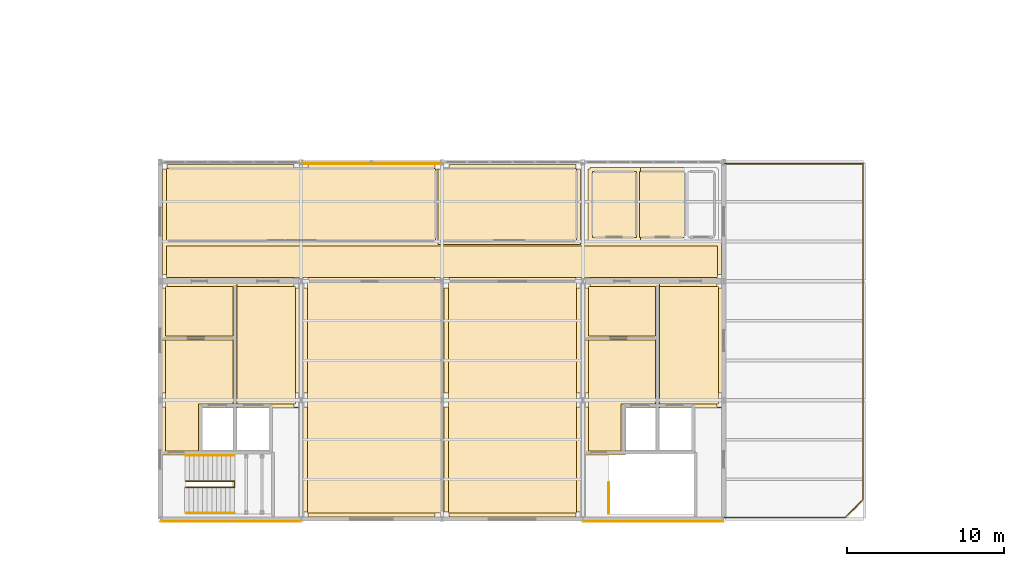
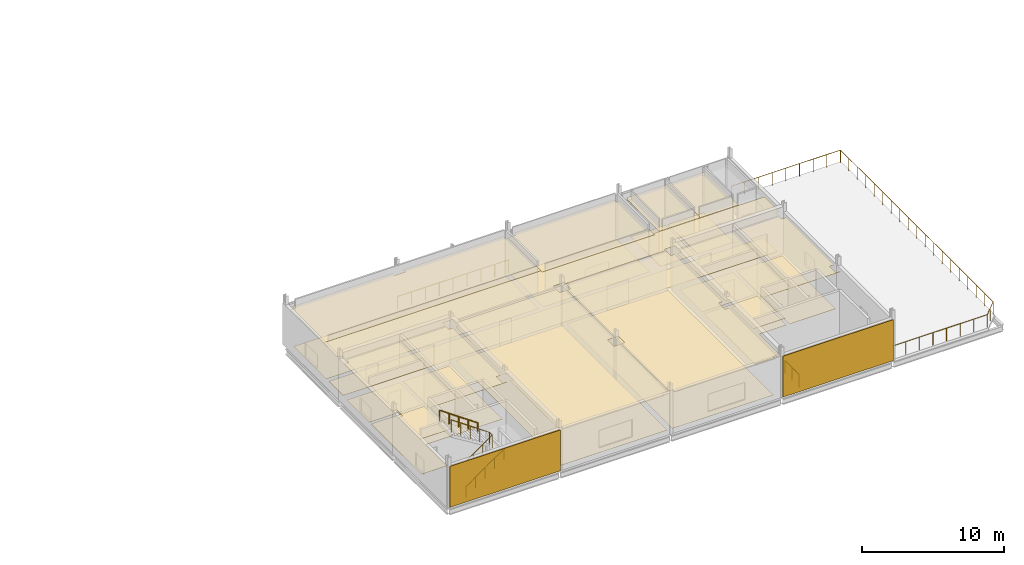
# One storey, part 23 of 24: 28 coverings, 6 railings.
"""IFC4 building model written with IfcOpenShell, lengths in metres."""

from ifc_helpers import new_model, si_unit, direction, frame, origin, origin_2d, place, context, subcontext, project, spatial, polyline, rectangle, circle, outline, extrude, material, layer, layer_set, type_object, element, save


model = new_model("IFC4")

# Units and contexts
model_context = context("Model", 3, precision=1e-05, world=origin(), true_north=direction((0.0, 1.0)))
body_context = subcontext(model_context, "Body", "Model", "MODEL_VIEW")
ifc_project = project(units=[si_unit("LENGTHUNIT", "METRE"), si_unit("AREAUNIT", "SQUARE_METRE"), si_unit("VOLUMEUNIT", "CUBIC_METRE"), si_unit("PLANEANGLEUNIT", "RADIAN"), si_unit("MASSUNIT", "GRAM", prefix="KILO")], contexts=[model_context])

# Site, building, storey
site_placement = place(None, origin())
site = spatial("IfcSite", under=ifc_project, at=site_placement, CompositionType="ELEMENT")
building_placement = place(site_placement, origin())
building = spatial("IfcBuilding", under=site, at=building_placement, Name="Caisbarro Railhouse Central Library", CompositionType="ELEMENT")
storey_placement = place(building_placement, frame((0.0, 0.0, 22.320068359375)))
storey = spatial("IfcBuildingStorey", under=building, at=storey_placement, Name="L05", CompositionType="ELEMENT", Elevation=22.320068359375)

# Coverings
ifc_material_1 = material(Name="Extruded architectural terracotta rainscreen", Category="masonry")
ifc_layer_1 = layer(ifc_material_1, 0.054931640625, Name="Extruded architectural terracotta rainscreen")
ifc_layer_set_1 = layer_set([ifc_layer_1], Name="Extruded architectural terracotta rainscreen")
covering_type_1 = type_object("IfcCoveringType", Name="CLD-TER01", PredefinedType="CLADDING", material=ifc_layer_set_1)
for number, where, z_axis, x_axis, name in (
    (1, (67.5, -0.151611328125, 0.02978515625), (0.0, 0.0, 1.0), (1.0, 0.0, 0.0), "TER01 facade cladding L05-033"),
    (2, (94.5, -0.151611328125, 0.02978515625), (0.0, 0.0, 1.0), (1.0, 0.0, 0.0), "TER01 facade cladding L05-034"),
):
    element("IfcCovering", number, at=place(storey_placement, frame(where, z_axis=z_axis, x_axis=x_axis)), inside=storey, type_object=covering_type_1, Name=name, PredefinedType="CLADDING", context=body_context, shape_type="SweptSolid", body=[
        extrude(rectangle(XDim=8.9599609375, YDim=0.054931640625, at=origin_2d()), origin(), (0.0, 0.0, 1.0), 3.510986328125),
    ])
ifc_material_2 = material(Name="Perforated mineral-fibre acoustic ceiling tile")
ifc_layer_2 = layer(ifc_material_2, 0.01806640625, Name="Perforated mineral-fibre acoustic ceiling tile")
ifc_layer_set_2 = layer_set([ifc_layer_2], Name="Perforated mineral-fibre acoustic ceiling tile")
covering_type_2 = type_object("IfcCoveringType", Name="COV-CL01", PredefinedType="CEILING", material=ifc_layer_set_2)
covering_1_placement = place(storey_placement, frame((0.0, 0.0, 3.25)))
element("IfcCovering", 3, at=covering_1_placement, inside=storey, type_object=covering_type_2, Name="CL01 acoustic ceiling Firefighting Lift Lobby K1", PredefinedType="CEILING", context=body_context, shape_type="SweptSolid", body=[
    extrude(outline(polyline([(63.090087890625, 7.159912109375), (63.43994140625, 7.159912109375), (63.43994140625, 8.0400390625), (63.090087890625, 8.0400390625), (63.090087890625, 11.7099609375), (67.909912109375, 11.7099609375), (67.909912109375, 7.090087890625), (65.7099609375, 7.090087890625), (65.7099609375, 4.090087890625), (63.090087890625, 4.090087890625), (63.090087890625, 7.159912109375)])), origin(), (0.0, 0.0, 1.0), 0.017822265625),
])
covering_2_placement = place(storey_placement, frame((0.0, 0.0, 3.25)))
element("IfcCovering", 4, at=covering_2_placement, inside=storey, type_object=covering_type_2, Name="CL01 acoustic ceiling Lift Lobby K1", PredefinedType="CEILING", context=body_context, shape_type="SweptSolid", body=[
    extrude(outline(polyline([(71.56005859375, 15.110107421875), (71.56005859375, 14.760009765625), (71.909912109375, 14.760009765625), (71.909912109375, 8.0400390625), (71.56005859375, 8.0400390625), (71.56005859375, 7.159912109375), (71.909912109375, 7.159912109375), (71.909912109375, 7.090087890625), (67.639892578125, 7.090087890625), (67.639892578125, 15.110107421875), (71.56005859375, 15.110107421875)])), origin(), (0.0, 0.0, 1.0), 0.017822265625),
])
covering_3_placement = place(storey_placement, frame((0.0, 0.0, 3.25)))
element("IfcCovering", 5, at=covering_3_placement, inside=storey, type_object=covering_type_2, Name="CL01 acoustic ceiling Core Vestibule K1", PredefinedType="CEILING", context=body_context, shape_type="SweptSolid", body=[
    extrude(outline(polyline([(63.090087890625, 14.760009765625), (63.43994140625, 14.760009765625), (63.43994140625, 15.110107421875), (67.909912109375, 15.110107421875), (67.909912109375, 11.43994140625), (63.090087890625, 11.43994140625), (63.090087890625, 14.760009765625)])), origin(), (0.0, 0.0, 1.0), 0.017822265625),
])
covering_4_placement = place(storey_placement, frame((0.0, 0.0, 3.25)))
element("IfcCovering", 6, at=covering_4_placement, inside=storey, type_object=covering_type_2, Name="CL01 acoustic ceiling Firefighting Lift Lobby K2", PredefinedType="CEILING", context=body_context, shape_type="SweptSolid", body=[
    extrude(outline(polyline([(90.090087890625, 7.159912109375), (90.43994140625, 7.159912109375), (90.43994140625, 8.0400390625), (90.090087890625, 8.0400390625), (90.090087890625, 11.7099609375), (94.909912109375, 11.7099609375), (94.909912109375, 7.090087890625), (92.7099609375, 7.090087890625), (92.7099609375, 4.090087890625), (90.090087890625, 4.090087890625), (90.090087890625, 7.159912109375)])), origin(), (0.0, 0.0, 1.0), 0.017822265625),
])
covering_5_placement = place(storey_placement, frame((0.0, 0.0, 3.25)))
element("IfcCovering", 7, at=covering_5_placement, inside=storey, type_object=covering_type_2, Name="CL01 acoustic ceiling Lift Lobby K2", PredefinedType="CEILING", context=body_context, shape_type="SweptSolid", body=[
    extrude(outline(polyline([(98.56005859375, 15.110107421875), (98.56005859375, 14.760009765625), (98.909912109375, 14.760009765625), (98.909912109375, 8.0400390625), (98.56005859375, 8.0400390625), (98.56005859375, 7.159912109375), (98.909912109375, 7.159912109375), (98.909912109375, 7.090087890625), (94.639892578125, 7.090087890625), (94.639892578125, 15.110107421875), (98.56005859375, 15.110107421875)])), origin(), (0.0, 0.0, 1.0), 0.017822265625),
])
covering_6_placement = place(storey_placement, frame((0.0, 0.0, 3.25)))
element("IfcCovering", 8, at=covering_6_placement, inside=storey, type_object=covering_type_2, Name="CL01 acoustic ceiling Core Vestibule K2", PredefinedType="CEILING", context=body_context, shape_type="SweptSolid", body=[
    extrude(outline(polyline([(90.090087890625, 14.760009765625), (90.43994140625, 14.760009765625), (90.43994140625, 15.110107421875), (94.909912109375, 15.110107421875), (94.909912109375, 11.43994140625), (90.090087890625, 11.43994140625), (90.090087890625, 14.760009765625)])), origin(), (0.0, 0.0, 1.0), 0.017822265625),
])
covering_7_placement = place(storey_placement, frame((0.0, 0.0, 3.25)))
element("IfcCovering", 9, at=covering_7_placement, inside=storey, type_object=covering_type_2, Name="CL01 acoustic ceiling Paper Conservation Laboratory", PredefinedType="CEILING", context=body_context, shape_type="SweptSolid", body=[
    extrude(outline(polyline([(72.139892578125, 0.43994140625), (72.139892578125, 7.159912109375), (72.43994140625, 7.159912109375), (72.43994140625, 8.0400390625), (72.139892578125, 8.0400390625), (72.139892578125, 14.760009765625), (72.43994140625, 14.760009765625), (72.43994140625, 15.4599609375), (80.56005859375, 15.4599609375), (80.56005859375, 14.760009765625), (81.260009765625, 14.760009765625), (81.260009765625, 8.0400390625), (80.56005859375, 8.0400390625), (80.56005859375, 7.159912109375), (81.260009765625, 7.159912109375), (81.260009765625, 0.43994140625), (80.56005859375, 0.43994140625), (80.56005859375, 0.139892578125), (72.43994140625, 0.139892578125), (72.43994140625, 0.43994140625), (72.139892578125, 0.43994140625)])), origin(), (0.0, 0.0, 1.0), 0.017822265625),
])
covering_8_placement = place(storey_placement, frame((0.0, 0.0, 3.25)))
element("IfcCovering", 10, at=covering_8_placement, inside=storey, type_object=covering_type_2, Name="CL01 acoustic ceiling Top Floor Corridor L05", PredefinedType="CEILING", context=body_context, shape_type="SweptSolid", body=[
    extrude(outline(polyline([(90.43994140625, 15.639892578125), (89.56005859375, 15.639892578125), (89.56005859375, 15.18994140625), (81.43994140625, 15.18994140625), (81.43994140625, 15.639892578125), (80.56005859375, 15.639892578125), (80.56005859375, 15.18994140625), (72.43994140625, 15.18994140625), (72.43994140625, 15.639892578125), (71.56005859375, 15.639892578125), (71.56005859375, 15.18994140625), (63.43994140625, 15.18994140625), (63.43994140625, 15.639892578125), (63.139892578125, 15.639892578125), (63.139892578125, 17.7099609375), (98.860107421875, 17.7099609375), (98.860107421875, 15.639892578125), (98.56005859375, 15.639892578125), (98.56005859375, 15.18994140625), (90.43994140625, 15.18994140625), (90.43994140625, 15.639892578125)])), origin(), (0.0, 0.0, 1.0), 0.017822265625),
])
covering_9_placement = place(storey_placement, frame((0.0, 0.0, 3.25)))
element("IfcCovering", 11, at=covering_9_placement, inside=storey, type_object=covering_type_2, Name="CL01 acoustic ceiling Chief Librarian and Curatorial Office", PredefinedType="CEILING", context=body_context, shape_type="SweptSolid", body=[
    extrude(outline(polyline([(63.43994140625, 22.659912109375), (71.56005859375, 22.659912109375), (71.56005859375, 22.360107421875), (72.43994140625, 22.360107421875), (72.43994140625, 22.659912109375), (80.56005859375, 22.659912109375), (80.56005859375, 22.360107421875), (80.860107421875, 22.360107421875), (80.860107421875, 17.5400390625), (63.139892578125, 17.5400390625), (63.139892578125, 22.360107421875), (63.43994140625, 22.360107421875), (63.43994140625, 22.659912109375)])), origin(), (0.0, 0.0, 1.0), 0.017822265625),
])
covering_10_placement = place(storey_placement, frame((0.0, 0.0, 3.25)))
element("IfcCovering", 12, at=covering_10_placement, inside=storey, type_object=covering_type_2, Name="CL01 acoustic ceiling Board and Endowment Seminar Room", PredefinedType="CEILING", context=body_context, shape_type="SweptSolid", body=[
    extrude(outline(polyline([(81.43994140625, 22.360107421875), (81.43994140625, 22.659912109375), (89.56005859375, 22.659912109375), (89.56005859375, 22.360107421875), (89.860107421875, 22.360107421875), (89.860107421875, 17.5400390625), (80.739990234375, 17.5400390625), (80.739990234375, 22.360107421875), (81.43994140625, 22.360107421875)])), origin(), (0.0, 0.0, 1.0), 0.017822265625),
])
covering_11_placement = place(storey_placement, frame((0.0, 0.0, 3.25)))
element("IfcCovering", 13, at=covering_11_placement, inside=storey, type_object=covering_type_2, Name="CL01 acoustic ceiling Male WC L05-V5", PredefinedType="CEILING", context=body_context, shape_type="SweptSolid", body=[
    extrude(outline(polyline([(90.340087890625, 22.360107421875), (90.43994140625, 22.360107421875), (90.43994140625, 22.4599609375), (93.676025390625, 22.4599609375), (93.676025390625, 17.739990234375), (90.340087890625, 17.739990234375), (90.340087890625, 22.360107421875)])), origin(), (0.0, 0.0, 1.0), 0.017822265625),
])
covering_12_placement = place(storey_placement, frame((0.0, 0.0, 3.25)))
element("IfcCovering", 14, at=covering_12_placement, inside=storey, type_object=covering_type_2, Name="CL01 acoustic ceiling Female WC L05-V5", PredefinedType="CEILING", context=body_context, shape_type="SweptSolid", body=[
    extrude(outline(polyline([(93.35595703125, 17.739990234375), (93.35595703125, 22.4599609375), (96.7919921875, 22.4599609375), (96.7919921875, 17.739990234375), (93.35595703125, 17.739990234375)])), origin(), (0.0, 0.0, 1.0), 0.017822265625),
])
ifc_material_3 = material(Name="Slatted acoustic timber baffle ceiling", Category="wood")
ifc_layer_3 = layer(ifc_material_3, 0.031982421875, Name="Slatted acoustic timber baffle ceiling")
ifc_layer_set_3 = layer_set([ifc_layer_3], Name="Slatted acoustic timber baffle ceiling")
covering_type_3 = type_object("IfcCoveringType", Name="COV-CL02", PredefinedType="CEILING", material=ifc_layer_set_3)
covering_13_placement = place(storey_placement, frame((0.0, 0.0, 3.25)))
element("IfcCovering", 15, at=covering_13_placement, inside=storey, type_object=covering_type_3, Name="CL02 acoustic ceiling Cartography and Rare-Atlas Reading Room", PredefinedType="CEILING", context=body_context, shape_type="SweptSolid", body=[
    extrude(outline(polyline([(81.139892578125, 0.43994140625), (81.139892578125, 7.159912109375), (81.43994140625, 7.159912109375), (81.43994140625, 8.0400390625), (81.139892578125, 8.0400390625), (81.139892578125, 14.760009765625), (81.43994140625, 14.760009765625), (81.43994140625, 15.4599609375), (89.56005859375, 15.4599609375), (89.56005859375, 14.760009765625), (89.860107421875, 14.760009765625), (89.860107421875, 8.0400390625), (89.56005859375, 8.0400390625), (89.56005859375, 7.159912109375), (89.860107421875, 7.159912109375), (89.860107421875, 0.43994140625), (89.56005859375, 0.43994140625), (89.56005859375, 0.139892578125), (81.43994140625, 0.139892578125), (81.43994140625, 0.43994140625), (81.139892578125, 0.43994140625)])), origin(), (0.0, 0.0, 1.0), 0.031982421875),
])
ifc_material_4 = material(Name="Polished cementitious terrazzo flooring")
ifc_layer_4 = layer(ifc_material_4, 0.02197265625, Name="Polished cementitious terrazzo flooring")
ifc_layer_set_4 = layer_set([ifc_layer_4], Name="Polished cementitious terrazzo flooring")
covering_type_4 = type_object("IfcCoveringType", Name="COV-FL01", PredefinedType="FLOORING", material=ifc_layer_set_4)
covering_14_placement = place(storey_placement, origin())
element("IfcCovering", 16, at=covering_14_placement, inside=storey, type_object=covering_type_4, Name="FL01 flooring Firefighting Lift Lobby K1", PredefinedType="FLOORING", context=body_context, shape_type="SweptSolid", body=[
    extrude(outline(polyline([(63.35009765625, 4.35009765625), (65.449951171875, 4.35009765625), (65.449951171875, 7.35009765625), (67.64990234375, 7.35009765625), (67.64990234375, 11.449951171875), (63.35009765625, 11.449951171875), (63.35009765625, 4.35009765625)])), origin(), (0.0, 0.0, 1.0), 0.02197265625),
])
covering_15_placement = place(storey_placement, origin())
element("IfcCovering", 17, at=covering_15_placement, inside=storey, type_object=covering_type_4, Name="FL01 flooring Lift Lobby K1", PredefinedType="FLOORING", context=body_context, shape_type="SweptSolid", body=[
    extrude(outline(polyline([(67.89990234375, 7.35009765625), (71.64990234375, 7.35009765625), (71.64990234375, 14.85009765625), (67.89990234375, 14.85009765625), (67.89990234375, 7.35009765625)])), origin(), (0.0, 0.0, 1.0), 0.02197265625),
])
covering_16_placement = place(storey_placement, origin())
element("IfcCovering", 18, at=covering_16_placement, inside=storey, type_object=covering_type_4, Name="FL01 flooring Firefighting Lift Lobby K2", PredefinedType="FLOORING", context=body_context, shape_type="SweptSolid", body=[
    extrude(outline(polyline([(90.35009765625, 4.35009765625), (92.449951171875, 4.35009765625), (92.449951171875, 7.35009765625), (94.64990234375, 7.35009765625), (94.64990234375, 11.449951171875), (90.35009765625, 11.449951171875), (90.35009765625, 4.35009765625)])), origin(), (0.0, 0.0, 1.0), 0.02197265625),
])
covering_17_placement = place(storey_placement, origin())
element("IfcCovering", 19, at=covering_17_placement, inside=storey, type_object=covering_type_4, Name="FL01 flooring Lift Lobby K2", PredefinedType="FLOORING", context=body_context, shape_type="SweptSolid", body=[
    extrude(outline(polyline([(94.89990234375, 7.35009765625), (98.64990234375, 7.35009765625), (98.64990234375, 14.85009765625), (94.89990234375, 14.85009765625), (94.89990234375, 7.35009765625)])), origin(), (0.0, 0.0, 1.0), 0.02197265625),
])
covering_18_placement = place(storey_placement, origin())
element("IfcCovering", 20, at=covering_18_placement, inside=storey, type_object=covering_type_4, Name="FL01 flooring Top Floor Corridor L05", PredefinedType="FLOORING", context=body_context, shape_type="SweptSolid", body=[
    extrude(outline(polyline([(63.39990234375, 15.449951171875), (98.60009765625, 15.449951171875), (98.60009765625, 17.449951171875), (63.39990234375, 17.449951171875), (63.39990234375, 15.449951171875)])), origin(), (0.0, 0.0, 1.0), 0.02197265625),
])
ifc_material_5 = material(Name="Heavy-duty acoustic linoleum flooring")
ifc_layer_5 = layer(ifc_material_5, 0.011962890625, Name="Heavy-duty acoustic linoleum flooring")
ifc_layer_set_5 = layer_set([ifc_layer_5], Name="Heavy-duty acoustic linoleum flooring")
covering_type_5 = type_object("IfcCoveringType", Name="COV-FL02", PredefinedType="FLOORING", material=ifc_layer_set_5)
covering_19_placement = place(storey_placement, origin())
element("IfcCovering", 21, at=covering_19_placement, inside=storey, type_object=covering_type_5, Name="FL02 flooring Core Vestibule K1", PredefinedType="FLOORING", context=body_context, shape_type="SweptSolid", body=[
    extrude(outline(polyline([(63.35009765625, 11.699951171875), (67.64990234375, 11.699951171875), (67.64990234375, 14.85009765625), (63.35009765625, 14.85009765625), (63.35009765625, 11.699951171875)])), origin(), (0.0, 0.0, 1.0), 0.011962890625),
])
covering_20_placement = place(storey_placement, origin())
element("IfcCovering", 22, at=covering_20_placement, inside=storey, type_object=covering_type_5, Name="FL02 flooring Core Vestibule K2", PredefinedType="FLOORING", context=body_context, shape_type="SweptSolid", body=[
    extrude(outline(polyline([(90.35009765625, 11.699951171875), (94.64990234375, 11.699951171875), (94.64990234375, 14.85009765625), (90.35009765625, 14.85009765625), (90.35009765625, 11.699951171875)])), origin(), (0.0, 0.0, 1.0), 0.011962890625),
])
covering_21_placement = place(storey_placement, origin())
element("IfcCovering", 23, at=covering_21_placement, inside=storey, type_object=covering_type_5, Name="FL02 flooring Paper Conservation Laboratory", PredefinedType="FLOORING", context=body_context, shape_type="SweptSolid", body=[
    extrude(outline(polyline([(72.39990234375, 0.39990234375), (81.0, 0.39990234375), (81.0, 15.199951171875), (72.39990234375, 15.199951171875), (72.39990234375, 0.39990234375)])), origin(), (0.0, 0.0, 1.0), 0.011962890625),
])
covering_22_placement = place(storey_placement, origin())
element("IfcCovering", 24, at=covering_22_placement, inside=storey, type_object=covering_type_5, Name="FL02 flooring Cartography and Rare-Atlas Reading Room", PredefinedType="FLOORING", context=body_context, shape_type="SweptSolid", body=[
    extrude(outline(polyline([(81.39990234375, 0.39990234375), (89.60009765625, 0.39990234375), (89.60009765625, 15.199951171875), (81.39990234375, 15.199951171875), (81.39990234375, 0.39990234375)])), origin(), (0.0, 0.0, 1.0), 0.011962890625),
])
covering_23_placement = place(storey_placement, origin())
element("IfcCovering", 25, at=covering_23_placement, inside=storey, type_object=covering_type_5, Name="FL02 flooring Chief Librarian and Curatorial Office", PredefinedType="FLOORING", context=body_context, shape_type="SweptSolid", body=[
    extrude(outline(polyline([(63.39990234375, 17.800048828125), (80.60009765625, 17.800048828125), (80.60009765625, 22.39990234375), (63.39990234375, 22.39990234375), (63.39990234375, 17.800048828125)])), origin(), (0.0, 0.0, 1.0), 0.011962890625),
])
covering_24_placement = place(storey_placement, origin())
element("IfcCovering", 26, at=covering_24_placement, inside=storey, type_object=covering_type_5, Name="FL02 flooring Board and Endowment Seminar Room", PredefinedType="FLOORING", context=body_context, shape_type="SweptSolid", body=[
    extrude(outline(polyline([(81.0, 17.800048828125), (89.60009765625, 17.800048828125), (89.60009765625, 22.39990234375), (81.0, 22.39990234375), (81.0, 17.800048828125)])), origin(), (0.0, 0.0, 1.0), 0.011962890625),
])
covering_25_placement = place(storey_placement, origin())
element("IfcCovering", 27, at=covering_25_placement, inside=storey, type_object=covering_type_5, Name="FL02 flooring Male WC L05-V5", PredefinedType="FLOORING", context=body_context, shape_type="SweptSolid", body=[
    extrude(outline(polyline([(90.60009765625, 18.0), (93.416015625, 18.0), (93.416015625, 22.199951171875), (90.60009765625, 22.199951171875), (90.60009765625, 18.0)])), origin(), (0.0, 0.0, 1.0), 0.011962890625),
])
covering_26_placement = place(storey_placement, origin())
element("IfcCovering", 28, at=covering_26_placement, inside=storey, type_object=covering_type_5, Name="FL02 flooring Female WC L05-V5", PredefinedType="FLOORING", context=body_context, shape_type="SweptSolid", body=[
    extrude(outline(polyline([(93.615966796875, 18.0), (96.531982421875, 18.0), (96.531982421875, 22.199951171875), (93.615966796875, 22.199951171875), (93.615966796875, 18.0)])), origin(), (0.0, 0.0, 1.0), 0.011962890625),
])

# Railings
ifc_material_6 = material(Name="Laminated safety glass balustrade with stainless top rail", Category="glass")
railing_type_1 = type_object("IfcRailingType", Name="RLG-ATR112", PredefinedType="GUARDRAIL", material=ifc_material_6)
railing_1_placement = place(storey_placement, frame((72.0, 22.699951171875, 0.0)))
element("IfcRailing", 29, at=railing_1_placement, inside=storey, type_object=railing_type_1, Name="RG02 Interior Void Balustrade L05-28", PredefinedType="GUARDRAIL", context=body_context, shape_type="SweptSolid", body=[
    extrude(circle(Radius=0.02392578125, at=origin_2d()), frame((0.0, 0.0, 1.09619140625), z_axis=(1.0, 0.0, 0.0), x_axis=(0.0, 1.0, 0.0)), (0.0, 0.0, 1.0), 9.0),
    extrude(circle(Radius=0.02099609375, at=origin_2d()), origin(), (0.0, 0.0, 1.0), 1.072021484375),
    extrude(circle(Radius=0.02099609375, at=origin_2d()), frame((1.125, 0.0, 0.0)), (0.0, 0.0, 1.0), 1.072021484375),
    extrude(circle(Radius=0.02099609375, at=origin_2d()), frame((2.25, 0.0, 0.0)), (0.0, 0.0, 1.0), 1.072021484375),
    extrude(circle(Radius=0.02099609375, at=origin_2d()), frame((3.375, 0.0, 0.0)), (0.0, 0.0, 1.0), 1.072021484375),
    extrude(circle(Radius=0.02099609375, at=origin_2d()), frame((4.5, 0.0, 0.0)), (0.0, 0.0, 1.0), 1.072021484375),
    extrude(circle(Radius=0.02099609375, at=origin_2d()), frame((5.625, 0.0, 0.0)), (0.0, 0.0, 1.0), 1.072021484375),
    extrude(circle(Radius=0.02099609375, at=origin_2d()), frame((6.75, 0.0, 0.0)), (0.0, 0.0, 1.0), 1.072021484375),
    extrude(circle(Radius=0.02099609375, at=origin_2d()), frame((7.875, 0.0, 0.0)), (0.0, 0.0, 1.0), 1.072021484375),
    extrude(circle(Radius=0.02099609375, at=origin_2d()), frame((9.0, 0.0, 0.0)), (0.0, 0.0, 1.0), 1.072021484375),
])
ifc_material_7 = material(Name="Brushed stainless steel Grade 316", Category="steel")
railing_type_2 = type_object("IfcRailingType", Name="RLG-EXT110", PredefinedType="GUARDRAIL", material=ifc_material_7)
railing_2_placement = place(storey_placement, frame((99.050048828125, 0.10009765625, 0.0)))
element("IfcRailing", 30, at=railing_2_placement, inside=storey, type_object=railing_type_2, Name="RG01 Terrace Guardrail TR-L05-E", PredefinedType="GUARDRAIL", context=body_context, shape_type="SweptSolid", body=[
    extrude(circle(Radius=0.02392578125, at=origin_2d()), frame((0.0, 0.0, 1.076171875), z_axis=(1.0, 0.0, 0.0), x_axis=(0.0, 1.0, 0.0)), (0.0, 0.0, 1.0), 7.699951171875),
    extrude(circle(Radius=0.02392578125, at=origin_2d()), frame((7.699951171875, 0.0, 1.076171875), z_axis=(0.707106781187, 0.707106781187, 0.0), x_axis=(-0.707106781187, 0.707106781187, 0.0)), (0.0, 0.0, 1.0), 1.626220703125),
    extrude(circle(Radius=0.02392578125, at=origin_2d()), frame((8.849853515625, 1.14990234375, 1.076171875), z_axis=(0.0, 1.0, 0.0), x_axis=(-1.0, 0.0, 0.0)), (0.0, 0.0, 1.0), 21.449951171875),
    extrude(circle(Radius=0.02392578125, at=origin_2d()), frame((8.849853515625, 22.599853515625, 1.076171875), z_axis=(-1.0, 0.0, 0.0), x_axis=(0.0, -1.0, 0.0)), (0.0, 0.0, 1.0), 8.849853515625),
    extrude(circle(Radius=0.02099609375, at=origin_2d()), origin(), (0.0, 0.0, 1.0), 1.052001953125),
    extrude(circle(Radius=0.02099609375, at=origin_2d()), frame((1.10009765625, 0.0, 0.0)), (0.0, 0.0, 1.0), 1.052001953125),
    extrude(circle(Radius=0.02099609375, at=origin_2d()), frame((2.199951171875, 0.0, 0.0)), (0.0, 0.0, 1.0), 1.052001953125),
    extrude(circle(Radius=0.02099609375, at=origin_2d()), frame((3.300048828125, 0.0, 0.0)), (0.0, 0.0, 1.0), 1.052001953125),
    extrude(circle(Radius=0.02099609375, at=origin_2d()), frame((4.39990234375, 0.0, 0.0)), (0.0, 0.0, 1.0), 1.052001953125),
    extrude(circle(Radius=0.02099609375, at=origin_2d()), frame((5.5, 0.0, 0.0)), (0.0, 0.0, 1.0), 1.052001953125),
    extrude(circle(Radius=0.02099609375, at=origin_2d()), frame((6.599853515625, 0.0, 0.0)), (0.0, 0.0, 1.0), 1.052001953125),
    extrude(circle(Radius=0.02099609375, at=origin_2d()), frame((7.699951171875, 0.0, 0.0)), (0.0, 0.0, 1.0), 1.052001953125),
    extrude(circle(Radius=0.02099609375, at=origin_2d()), frame((8.27490234375, 0.574951171875, 0.0)), (0.0, 0.0, 1.0), 1.052001953125),
    extrude(circle(Radius=0.02099609375, at=origin_2d()), frame((8.849853515625, 1.14990234375, 0.0)), (0.0, 0.0, 1.0), 1.052001953125),
    extrude(circle(Radius=0.02099609375, at=origin_2d()), frame((8.849853515625, 2.341552734375, 0.0)), (0.0, 0.0, 1.0), 1.052001953125),
    extrude(circle(Radius=0.02099609375, at=origin_2d()), frame((8.849853515625, 3.533203125, 0.0)), (0.0, 0.0, 1.0), 1.052001953125),
    extrude(circle(Radius=0.02099609375, at=origin_2d()), frame((8.849853515625, 4.724853515625, 0.0)), (0.0, 0.0, 1.0), 1.052001953125),
    extrude(circle(Radius=0.02099609375, at=origin_2d()), frame((8.849853515625, 5.91650390625, 0.0)), (0.0, 0.0, 1.0), 1.052001953125),
    extrude(circle(Radius=0.02099609375, at=origin_2d()), frame((8.849853515625, 7.108154296875, 0.0)), (0.0, 0.0, 1.0), 1.052001953125),
    extrude(circle(Radius=0.02099609375, at=origin_2d()), frame((8.849853515625, 8.2998046875, 0.0)), (0.0, 0.0, 1.0), 1.052001953125),
    extrude(circle(Radius=0.02099609375, at=origin_2d()), frame((8.849853515625, 9.491455078125, 0.0)), (0.0, 0.0, 1.0), 1.052001953125),
    extrude(circle(Radius=0.02099609375, at=origin_2d()), frame((8.849853515625, 10.68310546875, 0.0)), (0.0, 0.0, 1.0), 1.052001953125),
    extrude(circle(Radius=0.02099609375, at=origin_2d()), frame((8.849853515625, 11.875, 0.0)), (0.0, 0.0, 1.0), 1.052001953125),
    extrude(circle(Radius=0.02099609375, at=origin_2d()), frame((8.849853515625, 13.066650390625, 0.0)), (0.0, 0.0, 1.0), 1.052001953125),
    extrude(circle(Radius=0.02099609375, at=origin_2d()), frame((8.849853515625, 14.25830078125, 0.0)), (0.0, 0.0, 1.0), 1.052001953125),
    extrude(circle(Radius=0.02099609375, at=origin_2d()), frame((8.849853515625, 15.449951171875, 0.0)), (0.0, 0.0, 1.0), 1.052001953125),
    extrude(circle(Radius=0.02099609375, at=origin_2d()), frame((8.849853515625, 16.6416015625, 0.0)), (0.0, 0.0, 1.0), 1.052001953125),
    extrude(circle(Radius=0.02099609375, at=origin_2d()), frame((8.849853515625, 17.833251953125, 0.0)), (0.0, 0.0, 1.0), 1.052001953125),
    extrude(circle(Radius=0.02099609375, at=origin_2d()), frame((8.849853515625, 19.02490234375, 0.0)), (0.0, 0.0, 1.0), 1.052001953125),
    extrude(circle(Radius=0.02099609375, at=origin_2d()), frame((8.849853515625, 20.216552734375, 0.0)), (0.0, 0.0, 1.0), 1.052001953125),
    extrude(circle(Radius=0.02099609375, at=origin_2d()), frame((8.849853515625, 21.408203125, 0.0)), (0.0, 0.0, 1.0), 1.052001953125),
    extrude(circle(Radius=0.02099609375, at=origin_2d()), frame((8.849853515625, 22.599853515625, 0.0)), (0.0, 0.0, 1.0), 1.052001953125),
    extrude(circle(Radius=0.02099609375, at=origin_2d()), frame((7.74365234375, 22.599853515625, 0.0)), (0.0, 0.0, 1.0), 1.052001953125),
    extrude(circle(Radius=0.02099609375, at=origin_2d()), frame((6.637451171875, 22.599853515625, 0.0)), (0.0, 0.0, 1.0), 1.052001953125),
    extrude(circle(Radius=0.02099609375, at=origin_2d()), frame((5.53125, 22.599853515625, 0.0)), (0.0, 0.0, 1.0), 1.052001953125),
    extrude(circle(Radius=0.02099609375, at=origin_2d()), frame((4.4248046875, 22.599853515625, 0.0)), (0.0, 0.0, 1.0), 1.052001953125),
    extrude(circle(Radius=0.02099609375, at=origin_2d()), frame((3.318603515625, 22.599853515625, 0.0)), (0.0, 0.0, 1.0), 1.052001953125),
    extrude(circle(Radius=0.02099609375, at=origin_2d()), frame((2.21240234375, 22.599853515625, 0.0)), (0.0, 0.0, 1.0), 1.052001953125),
    extrude(circle(Radius=0.02099609375, at=origin_2d()), frame((1.106201171875, 22.599853515625, 0.0)), (0.0, 0.0, 1.0), 1.052001953125),
    extrude(circle(Radius=0.02099609375, at=origin_2d()), frame((0.0, 22.599853515625, 0.0)), (0.0, 0.0, 1.0), 1.052001953125),
])
railing_type_3 = type_object("IfcRailingType", Name="RLG-STR092", PredefinedType="HANDRAIL", material=ifc_material_7)
railing_3_placement = place(storey_placement, frame((64.64990234375, 0.389892578125, 0.0)))
element("IfcRailing", 31, at=railing_3_placement, inside=storey, type_object=railing_type_3, Name="Stair ST-01 Outer Handrail F1 L05", PredefinedType="HANDRAIL", context=body_context, shape_type="SweptSolid", body=[
    extrude(circle(Radius=0.02392578125, at=origin_2d()), frame((0.0, 0.0, 0.89599609375), z_axis=(0.819624179701, 0.0, 0.572901565759), x_axis=(0.0, 1.0, 0.0)), (0.0, 0.0, 1.0), 3.77001953125),
    extrude(circle(Radius=0.02099609375, at=origin_2d()), origin(), (0.0, 0.0, 1.0), 0.871826171875),
    extrude(circle(Radius=0.02099609375, at=origin_2d()), frame((0.7724609375, 0.0, 0.5400390625)), (0.0, 0.0, 1.0), 0.871826171875),
    extrude(circle(Radius=0.02099609375, at=origin_2d()), frame((1.544921875, 0.0, 1.080078125)), (0.0, 0.0, 1.0), 0.871826171875),
    extrude(circle(Radius=0.02099609375, at=origin_2d()), frame((2.317626953125, 0.0, 1.619873046875)), (0.0, 0.0, 1.0), 0.871826171875),
    extrude(circle(Radius=0.02099609375, at=origin_2d()), frame((3.090087890625, 0.0, 2.159912109375)), (0.0, 0.0, 1.0), 0.871826171875),
])
railing_4_placement = place(storey_placement, frame((67.739990234375, 4.06005859375, 2.159912109375)))
element("IfcRailing", 32, at=railing_4_placement, inside=storey, type_object=railing_type_3, Name="Stair ST-01 Outer Handrail F2 L05", PredefinedType="HANDRAIL", context=body_context, shape_type="SweptSolid", body=[
    extrude(circle(Radius=0.02392578125, at=origin_2d()), frame((0.0, 0.0, 0.89599609375), z_axis=(-0.819624179701, 0.0, 0.572901565759), x_axis=(0.0, -1.0, 0.0)), (0.0, 0.0, 1.0), 3.77001953125),
    extrude(circle(Radius=0.02099609375, at=origin_2d()), origin(), (0.0, 0.0, 1.0), 0.871826171875),
    extrude(circle(Radius=0.02099609375, at=origin_2d()), frame((-0.7724609375, 0.0, 0.5400390625)), (0.0, 0.0, 1.0), 0.871826171875),
    extrude(circle(Radius=0.02099609375, at=origin_2d()), frame((-1.544921875, 0.0, 1.080078125)), (0.0, 0.0, 1.0), 0.871826171875),
    extrude(circle(Radius=0.02099609375, at=origin_2d()), frame((-2.317626953125, 0.0, 1.619873046875)), (0.0, 0.0, 1.0), 0.871826171875),
    extrude(circle(Radius=0.02099609375, at=origin_2d()), frame((-3.090087890625, 0.0, 2.159912109375)), (0.0, 0.0, 1.0), 0.871826171875),
])
railing_type_4 = type_object("IfcRailingType", Name="RLG-STR110", PredefinedType="GUARDRAIL", material=ifc_material_7)
railing_5_placement = place(storey_placement, frame((64.64990234375, 2.030029296875, 0.0)))
element("IfcRailing", 33, at=railing_5_placement, inside=storey, type_object=railing_type_4, Name="Stair ST-01 Inner Well Guardrail L05", PredefinedType="GUARDRAIL", context=body_context, shape_type="SweptSolid", body=[
    extrude(circle(Radius=0.02392578125, at=origin_2d()), frame((0.0, 0.0, 1.076171875), z_axis=(0.819624179701, 0.0, 0.572901565759), x_axis=(0.0, 1.0, 0.0)), (0.0, 0.0, 1.0), 3.77001953125),
    extrude(circle(Radius=0.02392578125, at=origin_2d()), frame((3.090087890625, 0.0, 3.23583984375), z_axis=(0.0, 1.0, 0.0), x_axis=(-1.0, 0.0, 0.0)), (0.0, 0.0, 1.0), 0.389892578125),
    extrude(circle(Radius=0.02392578125, at=origin_2d()), frame((3.090087890625, 0.389892578125, 3.23583984375), z_axis=(-0.819624179701, 0.0, 0.572901565759), x_axis=(0.0, -1.0, 0.0)), (0.0, 0.0, 1.0), 3.77001953125),
    extrude(circle(Radius=0.02099609375, at=origin_2d()), origin(), (0.0, 0.0, 1.0), 1.052001953125),
    extrude(circle(Radius=0.02099609375, at=origin_2d()), frame((0.7724609375, 0.0, 0.5400390625)), (0.0, 0.0, 1.0), 1.052001953125),
    extrude(circle(Radius=0.02099609375, at=origin_2d()), frame((1.544921875, 0.0, 1.080078125)), (0.0, 0.0, 1.0), 1.052001953125),
    extrude(circle(Radius=0.02099609375, at=origin_2d()), frame((2.317626953125, 0.0, 1.619873046875)), (0.0, 0.0, 1.0), 1.052001953125),
    extrude(circle(Radius=0.02099609375, at=origin_2d()), frame((3.090087890625, 0.0, 2.159912109375)), (0.0, 0.0, 1.0), 1.052001953125),
    extrude(circle(Radius=0.02099609375, at=origin_2d()), frame((3.090087890625, 0.389892578125, 2.159912109375)), (0.0, 0.0, 1.0), 1.052001953125),
    extrude(circle(Radius=0.02099609375, at=origin_2d()), frame((2.317626953125, 0.389892578125, 2.699951171875)), (0.0, 0.0, 1.0), 1.052001953125),
    extrude(circle(Radius=0.02099609375, at=origin_2d()), frame((1.544921875, 0.389892578125, 3.23974609375)), (0.0, 0.0, 1.0), 1.052001953125),
    extrude(circle(Radius=0.02099609375, at=origin_2d()), frame((0.7724609375, 0.389892578125, 3.77978515625)), (0.0, 0.0, 1.0), 1.052001953125),
    extrude(circle(Radius=0.02099609375, at=origin_2d()), frame((0.0, 0.389892578125, 4.31982421875)), (0.0, 0.0, 1.0), 1.052001953125),
])
railing_6_placement = place(storey_placement, frame((91.64990234375, 0.35009765625, 0.0)))
element("IfcRailing", 34, at=railing_6_placement, inside=storey, type_object=railing_type_4, Name="Stair ST-02 Top Landing Guardrail L05", PredefinedType="GUARDRAIL", context=body_context, shape_type="SweptSolid", body=[
    extrude(circle(Radius=0.02392578125, at=origin_2d()), frame((0.0, 0.0, 1.076171875), z_axis=(0.0, 1.0, 0.0), x_axis=(-1.0, 0.0, 0.0)), (0.0, 0.0, 1.0), 1.969970703125),
    extrude(circle(Radius=0.02099609375, at=origin_2d()), origin(), (0.0, 0.0, 1.0), 1.052001953125),
    extrude(circle(Radius=0.02099609375, at=origin_2d()), frame((0.0, 0.98486328125, 0.0)), (0.0, 0.0, 1.0), 1.052001953125),
    extrude(circle(Radius=0.02099609375, at=origin_2d()), frame((0.0, 1.969970703125, 0.0)), (0.0, 0.0, 1.0), 1.052001953125),
])

save(model, "model.ifc")
